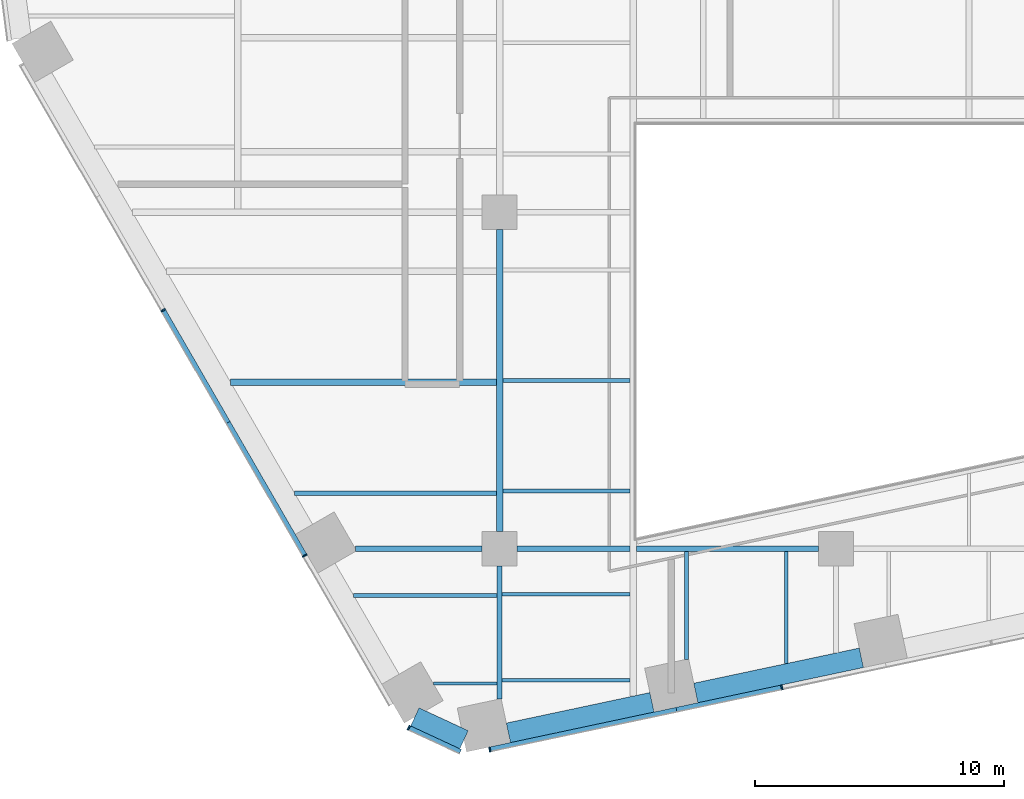
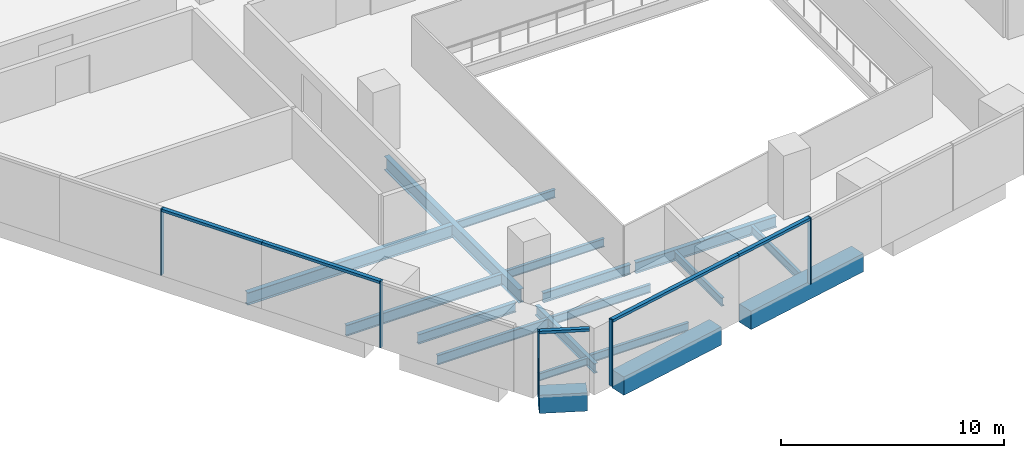
# One storey, part 2 of 20: 18 beams, 10 members, 3 elements without a shape of their own.
"""IFC4 building model written with IfcOpenShell, lengths in metres."""

from ifc_helpers import new_model, si_unit, direction, frame, origin, origin_2d, place, context, subcontext, project, spatial, rectangle, i_section, extrude, material, layer, layer_set, material_profile, profile_set, type_object, element, aggregate, save


model = new_model("IFC4")

# Units and contexts
model_context = context("Model", 3, precision=1e-05, world=origin(), true_north=direction((0.0, 1.0)))
body_context = subcontext(model_context, "Body", "Model", "MODEL_VIEW")
ifc_project = project(units=[si_unit("LENGTHUNIT", "METRE"), si_unit("AREAUNIT", "SQUARE_METRE"), si_unit("VOLUMEUNIT", "CUBIC_METRE"), si_unit("PLANEANGLEUNIT", "RADIAN"), si_unit("MASSUNIT", "GRAM", prefix="KILO")], contexts=[model_context])

# Site, building, storey
site_placement = place(None, origin())
site = spatial("IfcSite", under=ifc_project, at=site_placement, CompositionType="ELEMENT")
building_placement = place(site_placement, origin())
building = spatial("IfcBuilding", under=site, at=building_placement, Name="Isthmus Gate Tower", CompositionType="ELEMENT")
storey_placement = place(building_placement, frame((0.0, 0.0, 61.550048828125)))
storey = spatial("IfcBuildingStorey", under=building, at=storey_placement, Name="L13", CompositionType="ELEMENT", Elevation=61.550048828125)

# Curtain wall, members
ifc_material_1 = material(Name="Aluminium, pale champagne anodised", Category="aluminium")
ifc_layer = layer(ifc_material_1, 0.199951171875)
ifc_layer_set = layer_set([ifc_layer], Name="CW-1 UNITISED CURTAIN WALL 200 DEEP")
curtain_wall_type = type_object("IfcCurtainWallType", Name="CW-1 UNITISED CURTAIN WALL 200 DEEP", PredefinedType="NOTDEFINED", material=ifc_layer_set)
curtain_wall_1_placement = place(storey_placement, origin())
curtain_wall_1 = element("IfcCurtainWall", 1, at=curtain_wall_1_placement, inside=storey, type_object=curtain_wall_type, Name="CW-1 SW L13", PredefinedType="NOTDEFINED")
ifc_material_2 = material(Name="Aluminium, pale champagne anodised", Category="aluminium")
ifc_material_profile_1 = material_profile(ifc_material_2, rectangle(XDim=0.06005859375, YDim=0.199951171875, at=origin_2d()), Name="60x200")
ifc_profile_set_1 = profile_set([ifc_material_profile_1], Name="Aluminium, pale champagne anodised")
member_type_1 = type_object("IfcMemberType", Name="CW-1 MULLION 60 X 200", PredefinedType="MULLION", material=ifc_profile_set_1)
member_1_placement = place(storey_placement, frame((-27.001708984375, -17.431640625, 0.0), z_axis=(0.0, 0.0, 1.0), x_axis=(0.5, -0.866025403784, 0.0)))
member_1 = element("IfcMember", 2, at=member_1_placement, type_object=member_type_1, Name="CW-1 mullion", PredefinedType="MULLION", context=body_context, shape_type="SweptSolid", body=[
    extrude(rectangle(XDim=0.06005859375, YDim=0.199951171875, at=origin_2d()), origin(), (0.0, 0.0, 1.0), 3.64990234375),
])
member_2_placement = place(storey_placement, frame((-21.318115234375, -27.27587890625, 0.0), z_axis=(0.0, 0.0, 1.0), x_axis=(0.5, -0.866025403784, 0.0)))
member_2 = element("IfcMember", 3, at=member_2_placement, type_object=member_type_1, Name="CW-1 mullion", PredefinedType="MULLION", context=body_context, shape_type="SweptSolid", body=[
    extrude(rectangle(XDim=0.06005859375, YDim=0.199951171875, at=origin_2d()), origin(), (0.0, 0.0, 1.0), 3.64990234375),
])

# Curtain wall, member
curtain_wall_2_placement = place(storey_placement, origin())
curtain_wall_2 = element("IfcCurtainWall", 4, at=curtain_wall_2_placement, inside=storey, type_object=curtain_wall_type, Name="CW-1 SW-S L13", PredefinedType="NOTDEFINED")
member_3_placement = place(storey_placement, frame((-17.14794921875, -34.184814453125, 0.0), z_axis=(0.0, 0.0, 1.0), x_axis=(0.907256261367, -0.420578264073, 0.0)))
member_3 = element("IfcMember", 5, at=member_3_placement, type_object=member_type_1, Name="CW-1 mullion", PredefinedType="MULLION", context=body_context, shape_type="SweptSolid", body=[
    extrude(rectangle(XDim=0.06005859375, YDim=0.199951171875, at=origin_2d()), origin(), (0.0, 0.0, 1.0), 3.64990234375),
])

# Curtain wall, members
curtain_wall_3_placement = place(storey_placement, origin())
curtain_wall_3 = element("IfcCurtainWall", 6, at=curtain_wall_3_placement, inside=storey, type_object=curtain_wall_type, Name="CW-1 S L13", PredefinedType="NOTDEFINED")
member_4_placement = place(storey_placement, frame((-13.89501953125, -35.0556640625, 0.0), z_axis=(0.0, 0.0, 1.0), x_axis=(0.978147600734, 0.207911690818, 0.0)))
member_4 = element("IfcMember", 7, at=member_4_placement, type_object=member_type_1, Name="CW-1 mullion", PredefinedType="MULLION", context=body_context, shape_type="SweptSolid", body=[
    extrude(rectangle(XDim=0.06005859375, YDim=0.199951171875, at=origin_2d()), origin(), (0.0, 0.0, 1.0), 3.64990234375),
])
member_5_placement = place(storey_placement, frame((-2.1728515625, -32.564208984375, 0.0), z_axis=(0.0, 0.0, 1.0), x_axis=(0.978147600734, 0.207911690818, 0.0)))
member_5 = element("IfcMember", 8, at=member_5_placement, type_object=member_type_1, Name="CW-1 mullion", PredefinedType="MULLION", context=body_context, shape_type="SweptSolid", body=[
    extrude(rectangle(XDim=0.06005859375, YDim=0.199951171875, at=origin_2d()), origin(), (0.0, 0.0, 1.0), 3.64990234375),
])

# Member
ifc_material_3 = material(Name="Aluminium, pale champagne anodised", Category="aluminium")
ifc_material_profile_2 = material_profile(ifc_material_3, rectangle(XDim=0.199951171875, YDim=0.14990234375, at=origin_2d()), Name="200x150")
ifc_profile_set_2 = profile_set([ifc_material_profile_2], Name="Aluminium, pale champagne anodised")
member_type_2 = type_object("IfcMemberType", Name="CW-1 TRANSOM 200 X 150", PredefinedType="USERDEFINED", material=ifc_profile_set_2)
member_6_placement = place(storey_placement, frame((-26.98681640625, -17.45751953125, 3.574951171875), z_axis=(0.49999612508, -0.866027640959, 0.0), x_axis=(0.866027640959, 0.49999612508, 0.0)))
member_6 = element("IfcMember", 9, at=member_6_placement, type_object=member_type_2, Name="CW-1 transom", ObjectType="TRANSOM", PredefinedType="USERDEFINED", context=body_context, shape_type="SweptSolid", body=[
    extrude(rectangle(XDim=0.199951171875, YDim=0.14990234375, at=origin_2d()), origin(), (0.0, 0.0, 1.0), 5.173828125),
])

member_7_placement = place(storey_placement, frame((-24.39990234375, -21.938232421875, 3.574951171875), z_axis=(0.500017618927, -0.866015231253, 0.0), x_axis=(0.866015231253, 0.500017618927, 0.0)))
member_7 = element("IfcMember", 10, at=member_7_placement, type_object=member_type_2, Name="CW-1 transom", ObjectType="TRANSOM", PredefinedType="USERDEFINED", context=body_context, shape_type="SweptSolid", body=[
    extrude(rectangle(XDim=0.199951171875, YDim=0.14990234375, at=origin_2d()), origin(), (0.0, 0.0, 1.0), 6.133544921875),
])

aggregate(curtain_wall_1, [member_1, member_6, member_7, member_2])

member_8_placement = place(storey_placement, frame((-17.120849609375, -34.197509765625, 3.574951171875), z_axis=(0.907246225564, -0.420599912268, 0.0), x_axis=(0.420599912268, 0.907246225564, 0.0)))
member_8 = element("IfcMember", 11, at=member_8_placement, type_object=member_type_2, Name="CW-1 transom", ObjectType="TRANSOM", PredefinedType="USERDEFINED", context=body_context, shape_type="SweptSolid", body=[
    extrude(rectangle(XDim=0.199951171875, YDim=0.14990234375, at=origin_2d()), origin(), (0.0, 0.0, 1.0), 2.258544921875),
])

aggregate(curtain_wall_2, [member_3, member_8])

member_9_placement = place(storey_placement, frame((-13.86572265625, -35.049560546875, 3.574951171875), z_axis=(0.978149009137, 0.20790506469, 0.0), x_axis=(-0.20790506469, 0.978149009137, 0.0)))
member_9 = element("IfcMember", 12, at=member_9_placement, type_object=member_type_2, Name="CW-1 transom", ObjectType="TRANSOM", PredefinedType="USERDEFINED", context=body_context, shape_type="SweptSolid", body=[
    extrude(rectangle(XDim=0.199951171875, YDim=0.14990234375, at=origin_2d()), origin(), (0.0, 0.0, 1.0), 7.62939453125),
])

member_10_placement = place(storey_placement, frame((-6.403076171875, -33.46337890625, 3.574951171875), z_axis=(0.97813890815, 0.207952582007, 0.0), x_axis=(-0.207952582007, 0.97813890815, 0.0)))
member_10 = element("IfcMember", 13, at=member_10_placement, type_object=member_type_2, Name="CW-1 transom", ObjectType="TRANSOM", PredefinedType="USERDEFINED", context=body_context, shape_type="SweptSolid", body=[
    extrude(rectangle(XDim=0.199951171875, YDim=0.14990234375, at=origin_2d()), origin(), (0.0, 0.0, 1.0), 4.294677734375),
])

aggregate(curtain_wall_3, [member_4, member_9, member_10, member_5])

# Beams
ifc_material_4 = material(Name="Concrete f'c 70 MPa", Category="concrete")
ifc_material_profile_3 = material_profile(ifc_material_4, rectangle(XDim=0.800048828125, YDim=1.0, at=origin_2d()), Name="RC 800X1000")
ifc_profile_set_3 = profile_set([ifc_material_profile_3], Name="Concrete f'c 70 MPa")
beam_type_1 = type_object("IfcBeamType", Name="RC SPANDREL 800 X 1000", PredefinedType="SPANDREL", material=ifc_profile_set_3)
beam_1_placement = place(storey_placement, frame((1.01416015625, -31.37548828125, -0.5), z_axis=(-0.978145779981, -0.207920256603, 0.0), x_axis=(0.207920256603, -0.978145779981, 0.0)))
element("IfcBeam", 14, at=beam_1_placement, inside=storey, type_object=beam_type_1, Name="str-spandrel-L13-12", PredefinedType="SPANDREL", context=body_context, shape_type="SweptSolid", body=[
    extrude(rectangle(XDim=0.800048828125, YDim=1.0, at=origin_2d()), origin(), (0.0, 0.0, 1.0), 6.789306640625),
])
beam_2_placement = place(storey_placement, frame((-7.387451171875, -33.161376953125, -0.5), z_axis=(-0.978149894464, -0.207900899374, 0.0), x_axis=(0.207900899374, -0.978149894464, 0.0)))
element("IfcBeam", 15, at=beam_2_placement, inside=storey, type_object=beam_type_1, Name="str-spandrel-L13-13", PredefinedType="SPANDREL", context=body_context, shape_type="SweptSolid", body=[
    extrude(rectangle(XDim=0.800048828125, YDim=1.0, at=origin_2d()), origin(), (0.0, 0.0, 1.0), 5.88916015625),
])
beam_3_placement = place(storey_placement, frame((-14.929443359375, -34.662109375, -0.5), z_axis=(-0.907290744498, 0.420503870314, 0.0), x_axis=(-0.420503870314, -0.907290744498, 0.0)))
element("IfcBeam", 16, at=beam_3_placement, inside=storey, type_object=beam_type_1, Name="str-spandrel-L13-14", PredefinedType="SPANDREL", context=body_context, shape_type="SweptSolid", body=[
    extrude(rectangle(XDim=0.800048828125, YDim=1.0, at=origin_2d()), origin(), (0.0, 0.0, 1.0), 2.173095703125),
])
ifc_material_5 = material(Name="Structural steel ASTM A992 Gr 50", Category="steel")
ifc_material_profile_4 = material_profile(ifc_material_5, i_section(OverallWidth=0.1396484375, OverallDepth=0.4033203125, WebThickness=0.00634765625, FlangeThickness=0.010986328125, at=origin_2d()), Name="W16X31")
ifc_profile_set_4 = profile_set([ifc_material_profile_4], Name="Structural steel ASTM A992 Gr 50")
beam_type_2 = type_object("IfcBeamType", Name="STEEL FLOOR BEAM W16X31", PredefinedType="JOIST", material=ifc_profile_set_4)
beam_4_placement = place(storey_placement, frame((-16.162353515625, -32.406005859375, -0.3515625), z_axis=(1.0, 0.0, 0.0), x_axis=(0.0, 1.0, 0.0)))
element("IfcBeam", 17, at=beam_4_placement, inside=storey, type_object=beam_type_2, Name="str-beam-L13-09-00", PredefinedType="JOIST", context=body_context, shape_type="SweptSolid", body=[
    extrude(i_section(OverallWidth=0.1396484375, OverallDepth=0.4033203125, WebThickness=0.00634765625, FlangeThickness=0.010986328125, at=origin_2d()), origin(), (0.0, 0.0, 1.0), 2.5576171875),
])
ifc_material_6 = material(Name="Structural steel ASTM A992 Gr 50", Category="steel")
ifc_material_profile_5 = material_profile(ifc_material_6, i_section(OverallWidth=0.15234375, OverallDepth=0.45068359375, WebThickness=0.0078125, FlangeThickness=0.010986328125, at=origin_2d()), Name="W18X35")
ifc_profile_set_5 = profile_set([ifc_material_profile_5], Name="Structural steel ASTM A992 Gr 50")
beam_type_3 = type_object("IfcBeamType", Name="STEEL FLOOR BEAM W18X35", PredefinedType="JOIST", material=ifc_profile_set_5)
for number, where, z_axis, x_axis, name in (
    (18, (-13.395263671875, -32.27197265625, -0.37548828125), (1.0, 0.0, 0.0), (0.0, 1.0, 0.0), "str-beam-L13-10-00"),
    (19, (-13.395263671875, -28.8271484375, -0.37548828125), (1.0, 0.0, 0.0), (0.0, 1.0, 0.0), "str-beam-L13-10-01"),
):
    element("IfcBeam", number, at=place(storey_placement, frame(where, z_axis=z_axis, x_axis=x_axis)), inside=storey, type_object=beam_type_3, Name=name, PredefinedType="JOIST", context=body_context, shape_type="SweptSolid", body=[
        extrude(i_section(OverallWidth=0.15234375, OverallDepth=0.45068359375, WebThickness=0.0078125, FlangeThickness=0.010986328125, at=origin_2d()), origin(), (0.0, 0.0, 1.0), 5.128662109375),
    ])
for number, where, z_axis, x_axis, name in (
    (20, (-13.3681640625, -24.68017578125, -0.37548828125), (1.0, 0.0, 0.0), (0.0, 1.0, 0.0), "str-beam-L13-12-00"),
    (21, (-13.3681640625, -20.25, -0.37548828125), (1.0, 0.0, 0.0), (0.0, 1.0, 0.0), "str-beam-L13-12-01"),
):
    element("IfcBeam", number, at=place(storey_placement, frame(where, z_axis=z_axis, x_axis=x_axis)), inside=storey, type_object=beam_type_3, Name=name, PredefinedType="JOIST", context=body_context, shape_type="SweptSolid", body=[
        extrude(i_section(OverallWidth=0.15234375, OverallDepth=0.45068359375, WebThickness=0.0078125, FlangeThickness=0.010986328125, at=origin_2d()), origin(), (0.0, 0.0, 1.0), 5.1015625),
    ])
beam_5_placement = place(storey_placement, frame((-6.0, -31.43505859375, -0.37548828125), z_axis=(0.0, 1.0, 0.0), x_axis=(-1.0, 0.0, 0.0)))
element("IfcBeam", 22, at=beam_5_placement, inside=storey, type_object=beam_type_3, Name="str-beam-L13-15-00", PredefinedType="JOIST", context=body_context, shape_type="SweptSolid", body=[
    extrude(i_section(OverallWidth=0.15234375, OverallDepth=0.45068359375, WebThickness=0.0078125, FlangeThickness=0.010986328125, at=origin_2d()), origin(), (0.0, 0.0, 1.0), 4.32080078125),
])
beam_6_placement = place(storey_placement, frame((-2.0, -31.607177734375, -0.37548828125), z_axis=(0.0, 1.0, 0.0), x_axis=(-1.0, 0.0, 0.0)))
element("IfcBeam", 23, at=beam_6_placement, inside=storey, type_object=beam_type_3, Name="str-beam-L13-15-01", PredefinedType="JOIST", context=body_context, shape_type="SweptSolid", body=[
    extrude(i_section(OverallWidth=0.15234375, OverallDepth=0.45068359375, WebThickness=0.0078125, FlangeThickness=0.010986328125, at=origin_2d()), origin(), (0.0, 0.0, 1.0), 4.492919921875),
])
ifc_material_7 = material(Name="Structural steel ASTM A992 Gr 50", Category="steel")
ifc_material_profile_6 = material_profile(ifc_material_7, i_section(OverallWidth=0.1650390625, OverallDepth=0.52392578125, WebThickness=0.009521484375, FlangeThickness=0.010986328125, at=origin_2d()), Name="W21X44")
ifc_profile_set_6 = profile_set([ifc_material_profile_6], Name="Structural steel ASTM A992 Gr 50")
beam_type_4 = type_object("IfcBeamType", Name="STEEL FLOOR BEAM W21X44", PredefinedType="JOIST", material=ifc_profile_set_6)
beam_7_placement = place(storey_placement, frame((-19.357421875, -28.871826171875, -0.412109375), z_axis=(1.0, 0.0, 0.0), x_axis=(0.0, 1.0, 0.0)))
element("IfcBeam", 24, at=beam_7_placement, inside=storey, type_object=beam_type_4, Name="str-beam-L13-09-01", PredefinedType="JOIST", context=body_context, shape_type="SweptSolid", body=[
    extrude(i_section(OverallWidth=0.1650390625, OverallDepth=0.52392578125, WebThickness=0.009521484375, FlangeThickness=0.010986328125, at=origin_2d()), origin(), (0.0, 0.0, 1.0), 5.752685546875),
])
ifc_material_8 = material(Name="Structural steel ASTM A992 Gr 50", Category="steel")
ifc_material_profile_7 = material_profile(ifc_material_8, i_section(OverallWidth=0.177734375, OverallDepth=0.60009765625, WebThickness=0.009521484375, FlangeThickness=0.0126953125, at=origin_2d()), Name="W24X55")
ifc_profile_set_7 = profile_set([ifc_material_profile_7], Name="Structural steel ASTM A992 Gr 50")
beam_type_5 = type_object("IfcBeamType", Name="STEEL FLOOR BEAM W24X55", PredefinedType="JOIST", material=ifc_profile_set_7)
beam_8_placement = place(storey_placement, frame((-21.724365234375, -24.772216796875, -0.4501953125), z_axis=(1.0, 0.0, 0.0), x_axis=(0.0, 1.0, 0.0)))
element("IfcBeam", 25, at=beam_8_placement, inside=storey, type_object=beam_type_5, Name="str-beam-L13-05-00", PredefinedType="JOIST", context=body_context, shape_type="SweptSolid", body=[
    extrude(i_section(OverallWidth=0.177734375, OverallDepth=0.60009765625, WebThickness=0.009521484375, FlangeThickness=0.0126953125, at=origin_2d()), origin(), (0.0, 0.0, 1.0), 8.092529296875),
])
ifc_material_9 = material(Name="Structural steel ASTM A992 Gr 50", Category="steel")
ifc_material_profile_8 = material_profile(ifc_material_9, i_section(OverallWidth=0.25390625, OverallDepth=0.679443359375, WebThickness=0.010986328125, FlangeThickness=0.015869140625, at=origin_2d()), Name="W27X84")
ifc_profile_set_8 = profile_set([ifc_material_profile_8], Name="Structural steel ASTM A992 Gr 50")
beam_type_6 = type_object("IfcBeamType", Name="STEEL FLOOR BEAM W27X84", PredefinedType="JOIST", material=ifc_profile_set_8)
beam_9_placement = place(storey_placement, frame((-24.296875, -20.316650390625, -0.48974609375), z_axis=(1.0, 0.0, 0.0), x_axis=(0.0, 1.0, 0.0)))
element("IfcBeam", 26, at=beam_9_placement, inside=storey, type_object=beam_type_6, Name="str-beam-L13-05-01", PredefinedType="JOIST", context=body_context, shape_type="SweptSolid", body=[
    extrude(i_section(OverallWidth=0.25390625, OverallDepth=0.679443359375, WebThickness=0.010986328125, FlangeThickness=0.015869140625, at=origin_2d()), origin(), (0.0, 0.0, 1.0), 10.6650390625),
])
ifc_material_10 = material(Name="Structural steel ASTM A992 Gr 50", Category="steel")
ifc_material_profile_9 = material_profile(ifc_material_10, i_section(OverallWidth=0.20947265625, OverallDepth=0.533447265625, WebThickness=0.009521484375, FlangeThickness=0.015869140625, at=origin_2d()), Name="W21X62")
ifc_profile_set_9 = profile_set([ifc_material_profile_9], Name="Structural steel ASTM A992 Gr 50")
beam_type_7 = type_object("IfcBeamType", Name="STEEL GIRDER W21X62", PredefinedType="BEAM", material=ifc_profile_set_9)
beam_10_placement = place(storey_placement, frame((-19.283447265625, -27.0, -0.416748046875), z_axis=(1.0, 0.0, 0.0), x_axis=(0.0, 1.0, 0.0)))
element("IfcBeam", 27, at=beam_10_placement, inside=storey, type_object=beam_type_7, Name="str-girder-L13-01", PredefinedType="BEAM", context=body_context, shape_type="SweptSolid", body=[
    extrude(i_section(OverallWidth=0.20947265625, OverallDepth=0.533447265625, WebThickness=0.009521484375, FlangeThickness=0.015869140625, at=origin_2d()), origin(), (0.0, 0.0, 1.0), 5.08349609375),
])
beam_11_placement = place(storey_placement, frame((-12.800048828125, -27.0, -0.416748046875), z_axis=(1.0, 0.0, 0.0), x_axis=(0.0, 1.0, 0.0)))
element("IfcBeam", 28, at=beam_11_placement, inside=storey, type_object=beam_type_7, Name="str-girder-L13-02", PredefinedType="BEAM", context=body_context, shape_type="SweptSolid", body=[
    extrude(i_section(OverallWidth=0.20947265625, OverallDepth=0.533447265625, WebThickness=0.009521484375, FlangeThickness=0.015869140625, at=origin_2d()), origin(), (0.0, 0.0, 1.0), 4.533447265625),
])
beam_12_placement = place(storey_placement, frame((-13.5, -33.029296875, -0.416748046875), z_axis=(0.0, 1.0, 0.0), x_axis=(-1.0, 0.0, 0.0)))
element("IfcBeam", 29, at=beam_12_placement, inside=storey, type_object=beam_type_7, Name="str-girder-L13-23", PredefinedType="BEAM", context=body_context, shape_type="SweptSolid", body=[
    extrude(i_section(OverallWidth=0.20947265625, OverallDepth=0.533447265625, WebThickness=0.009521484375, FlangeThickness=0.015869140625, at=origin_2d()), origin(), (0.0, 0.0, 1.0), 5.329345703125),
])
ifc_material_11 = material(Name="Structural steel ASTM A992 Gr 50", Category="steel")
ifc_material_profile_10 = material_profile(ifc_material_11, i_section(OverallWidth=0.228515625, OverallDepth=0.603271484375, WebThickness=0.010986328125, FlangeThickness=0.014404296875, at=origin_2d()), Name="W24X68")
ifc_profile_set_10 = profile_set([ifc_material_profile_10], Name="Structural steel ASTM A992 Gr 50")
beam_type_8 = type_object("IfcBeamType", Name="STEEL GIRDER W24X68", PredefinedType="BEAM", material=ifc_profile_set_10)
beam_13_placement = place(storey_placement, frame((-8.0, -27.0, -0.45166015625), z_axis=(1.0, 0.0, 0.0), x_axis=(0.0, 1.0, 0.0)))
element("IfcBeam", 30, at=beam_13_placement, inside=storey, type_object=beam_type_8, Name="str-girder-L13-03", PredefinedType="BEAM", context=body_context, shape_type="SweptSolid", body=[
    extrude(i_section(OverallWidth=0.228515625, OverallDepth=0.603271484375, WebThickness=0.010986328125, FlangeThickness=0.014404296875, at=origin_2d()), origin(), (0.0, 0.0, 1.0), 7.300048828125),
])
ifc_material_12 = material(Name="Structural steel ASTM A992 Gr 50", Category="steel")
ifc_material_profile_11 = material_profile(ifc_material_12, i_section(OverallWidth=0.263427734375, OverallDepth=0.749267578125, WebThickness=0.0126953125, FlangeThickness=0.015869140625, at=origin_2d()), Name="W30X90")
ifc_profile_set_11 = profile_set([ifc_material_profile_11], Name="Structural steel ASTM A992 Gr 50")
beam_type_9 = type_object("IfcBeamType", Name="STEEL GIRDER W30X90", PredefinedType="BEAM", material=ifc_profile_set_11)
beam_14_placement = place(storey_placement, frame((-13.5, -26.300048828125, -0.524658203125), z_axis=(0.0, 1.0, 0.0), x_axis=(-1.0, 0.0, 0.0)))
element("IfcBeam", 31, at=beam_14_placement, inside=storey, type_object=beam_type_9, Name="str-girder-L13-24", PredefinedType="BEAM", context=body_context, shape_type="SweptSolid", body=[
    extrude(i_section(OverallWidth=0.263427734375, OverallDepth=0.749267578125, WebThickness=0.0126953125, FlangeThickness=0.015869140625, at=origin_2d()), origin(), (0.0, 0.0, 1.0), 12.10009765625),
])

save(model, "model.ifc")
